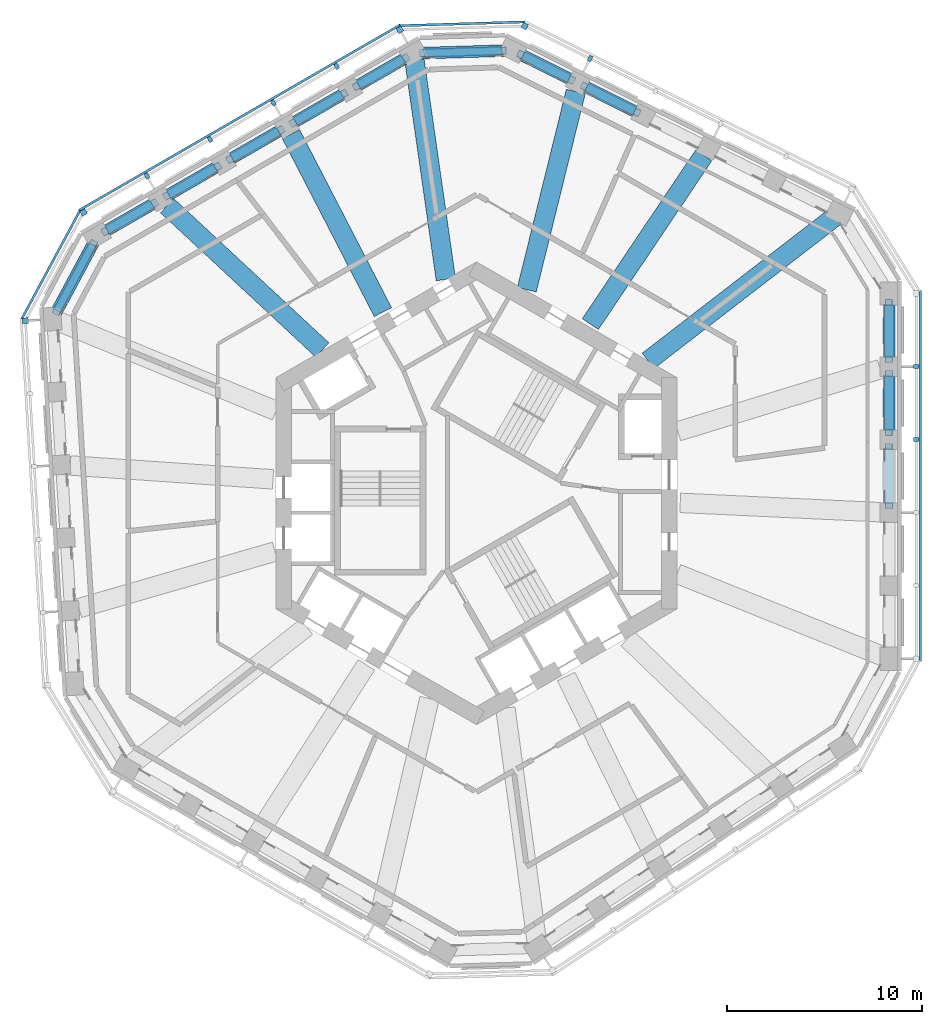
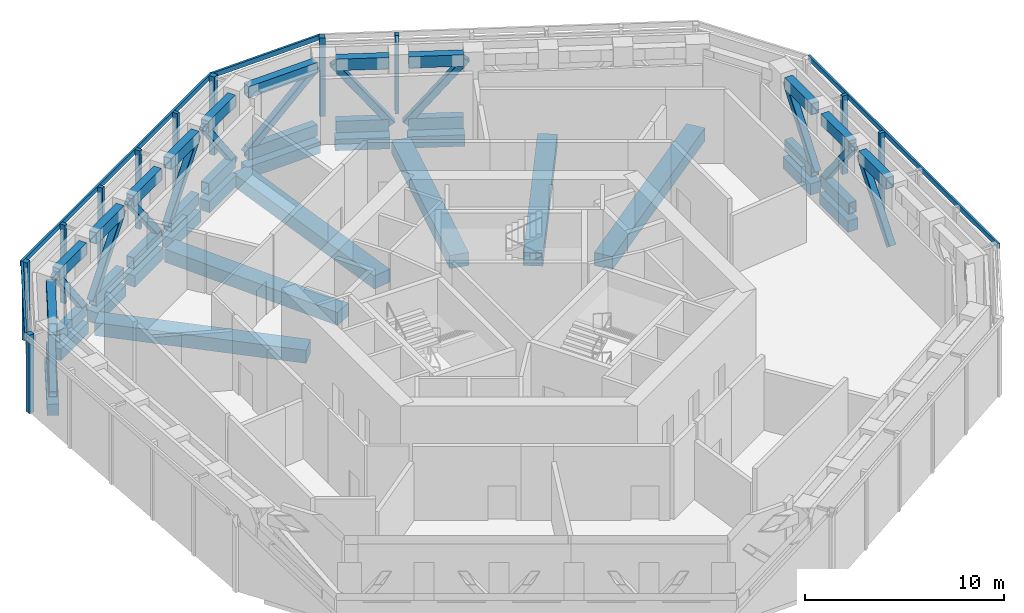
# One storey, part 3 of 15: 50 members, 17 beams, 6 elements without a shape of their own.
"""IFC4 building model written with IfcOpenShell, lengths in metres."""

from ifc_helpers import new_model, si_unit, direction, frame, origin, origin_2d, place, context, subcontext, project, spatial, rectangle, hollow_rectangle, extrude, material, material_profile, profile_set, type_object, element, aggregate, save


model = new_model("IFC4")

# Units and contexts
model_context = context("Model", 3, precision=1e-05, world=origin(), true_north=direction((0.0, 1.0)))
body_context = subcontext(model_context, "Body", "Model", "MODEL_VIEW")
ifc_project = project(units=[si_unit("LENGTHUNIT", "METRE"), si_unit("AREAUNIT", "SQUARE_METRE"), si_unit("VOLUMEUNIT", "CUBIC_METRE"), si_unit("PLANEANGLEUNIT", "RADIAN"), si_unit("MASSUNIT", "GRAM", prefix="KILO")], contexts=[model_context])

# Site, building, storey
site_placement = place(None, origin())
site = spatial("IfcSite", under=ifc_project, at=site_placement, CompositionType="ELEMENT")
building_placement = place(site_placement, origin())
building = spatial("IfcBuilding", under=site, at=building_placement, Name="Vanh Sen Convention Tower", CompositionType="ELEMENT")
storey_placement = place(building_placement, frame((0.0, 0.0, 205.800048828125)))
storey = spatial("IfcBuildingStorey", under=building, at=storey_placement, Name="L51", CompositionType="ELEMENT", Elevation=205.800048828125)

# Members
ifc_material_1 = material(Name="Steel S460", Category="steel")
ifc_material_profile_1 = material_profile(ifc_material_1, hollow_rectangle(XDim=0.449951171875, YDim=0.699951171875, WallThickness=0.035888671875, at=origin_2d()), Name="BOX 700X450X36")
ifc_profile_set_1 = profile_set([ifc_material_profile_1], Name="Steel S460")
member_type_1 = type_object("IfcMemberType", Name="Belt truss chord BOX 700X450X36", PredefinedType="CHORD", material=ifc_profile_set_1)
for number, where, z_axis, x_axis, name in (
    (1, (21.199951171875, -0.497802734375, 4.14990234375), (0.0, 1.0, 0.0), (-1.0, 0.0, 0.0), "BELT TRUSS chord top 03 L51"),
    (2, (21.199951171875, 3.25634765625, 0.349853515625), (0.0, 1.0, 0.0), (-1.0, 0.0, 0.0), "BELT TRUSS chord bottom 04 L51"),
    (3, (21.199951171875, 3.25634765625, 4.14990234375), (0.0, 1.0, 0.0), (-1.0, 0.0, 0.0), "BELT TRUSS chord top 04 L51"),
):
    element("IfcMember", number, at=place(storey_placement, frame(where, z_axis=z_axis, x_axis=x_axis)), inside=storey, type_object=member_type_1, Name=name, PredefinedType="CHORD", context=body_context, shape_type="SweptSolid", body=[
        extrude(hollow_rectangle(XDim=0.449951171875, YDim=0.699951171875, WallThickness=0.035888671875, at=origin_2d()), origin(), (0.0, 0.0, 1.0), 2.76416015625),
    ])
for number, where, z_axis, x_axis, name in (
    (4, (21.199951171875, 7.010498046875, 0.349853515625), (0.0, 1.0, 0.0), (-1.0, 0.0, 0.0), "BELT TRUSS chord bottom 05 L51"),
    (5, (21.199951171875, 7.010498046875, 4.14990234375), (0.0, 1.0, 0.0), (-1.0, 0.0, 0.0), "BELT TRUSS chord top 05 L51"),
):
    element("IfcMember", number, at=place(storey_placement, frame(where, z_axis=z_axis, x_axis=x_axis)), inside=storey, type_object=member_type_1, Name=name, PredefinedType="CHORD", context=body_context, shape_type="SweptSolid", body=[
        extrude(hollow_rectangle(XDim=0.449951171875, YDim=0.699951171875, WallThickness=0.035888671875, at=origin_2d()), origin(), (0.0, 0.0, 1.0), 2.6640625),
    ])
for number, where, z_axis, x_axis, name in (
    (6, (8.1279296875, 19.636474609375, 0.349853515625), (-0.89492127077, 0.446224068292, 0.0), (-0.446224068292, -0.89492127077, 0.0), "BELT TRUSS chord bottom 10 L51"),
    (7, (8.1279296875, 19.636474609375, 4.14990234375), (-0.89492127077, 0.446224068292, 0.0), (-0.446224068292, -0.89492127077, 0.0), "BELT TRUSS chord top 10 L51"),
):
    element("IfcMember", number, at=place(storey_placement, frame(where, z_axis=z_axis, x_axis=x_axis)), inside=storey, type_object=member_type_1, Name=name, PredefinedType="CHORD", context=body_context, shape_type="SweptSolid", body=[
        extrude(hollow_rectangle(XDim=0.449951171875, YDim=0.699951171875, WallThickness=0.035888671875, at=origin_2d()), origin(), (0.0, 0.0, 1.0), 2.76416015625),
    ])
for number, where, z_axis, x_axis, name in (
    (8, (4.768310546875, 21.3115234375, 0.349853515625), (-0.894939776695, 0.446186951948, 0.0), (-0.446186951948, -0.894939776695, 0.0), "BELT TRUSS chord bottom 11 L51"),
    (9, (4.768310546875, 21.3115234375, 4.14990234375), (-0.894939776695, 0.446186951948, 0.0), (-0.446186951948, -0.894939776695, 0.0), "BELT TRUSS chord top 11 L51"),
):
    element("IfcMember", number, at=place(storey_placement, frame(where, z_axis=z_axis, x_axis=x_axis)), inside=storey, type_object=member_type_1, Name=name, PredefinedType="CHORD", context=body_context, shape_type="SweptSolid", body=[
        extrude(hollow_rectangle(XDim=0.449951171875, YDim=0.699951171875, WallThickness=0.035888671875, at=origin_2d()), origin(), (0.0, 0.0, 1.0), 2.6640625),
    ])
for number, where, z_axis, x_axis, name in (
    (10, (1.32470703125, 22.74951171875, 0.349853515625), (-0.999533715833, -0.030534421783, 0.0), (0.030534421783, -0.999533715833, 0.0), "BELT TRUSS chord bottom 12 L51"),
    (11, (1.32470703125, 22.74951171875, 4.14990234375), (-0.999533715833, -0.030534421783, 0.0), (0.030534421783, -0.999533715833, 0.0), "BELT TRUSS chord top 12 L51"),
):
    element("IfcMember", number, at=place(storey_placement, frame(where, z_axis=z_axis, x_axis=x_axis)), inside=storey, type_object=member_type_1, Name=name, PredefinedType="CHORD", context=body_context, shape_type="SweptSolid", body=[
        extrude(hollow_rectangle(XDim=0.449951171875, YDim=0.699951171875, WallThickness=0.035888671875, at=origin_2d()), origin(), (0.0, 0.0, 1.0), 4.037841796875),
    ])
for number, where, z_axis, x_axis, name in (
    (12, (-3.753173828125, 22.312744140625, 0.349853515625), (-0.866023818221, -0.500002746266, 0.0), (0.500002746266, -0.866023818221, 0.0), "BELT TRUSS chord bottom 13 L51"),
    (13, (-3.753173828125, 22.312744140625, 4.14990234375), (-0.866023818221, -0.500002746266, 0.0), (0.500002746266, -0.866023818221, 0.0), "BELT TRUSS chord top 13 L51"),
):
    element("IfcMember", number, at=place(storey_placement, frame(where, z_axis=z_axis, x_axis=x_axis)), inside=storey, type_object=member_type_1, Name=name, PredefinedType="CHORD", context=body_context, shape_type="SweptSolid", body=[
        extrude(hollow_rectangle(XDim=0.449951171875, YDim=0.699951171875, WallThickness=0.035888671875, at=origin_2d()), origin(), (0.0, 0.0, 1.0), 2.6640625),
    ])
for number, where, z_axis, x_axis, name in (
    (14, (-6.917724609375, 20.485595703125, 0.349853515625), (-0.866022320763, -0.500005339912, 0.0), (0.500005339912, -0.866022320763, 0.0), "BELT TRUSS chord bottom 14 L51"),
    (15, (-6.917724609375, 20.485595703125, 4.14990234375), (-0.866022320763, -0.500005339912, 0.0), (0.500005339912, -0.866022320763, 0.0), "BELT TRUSS chord top 14 L51"),
    (16, (-10.1689453125, 18.608642578125, 0.349853515625), (-0.866022320763, -0.500005339912, 0.0), (0.500005339912, -0.866022320763, 0.0), "BELT TRUSS chord bottom 15 L51"),
    (17, (-10.1689453125, 18.608642578125, 4.14990234375), (-0.866022320763, -0.500005339912, 0.0), (0.500005339912, -0.866022320763, 0.0), "BELT TRUSS chord top 15 L51"),
):
    element("IfcMember", number, at=place(storey_placement, frame(where, z_axis=z_axis, x_axis=x_axis)), inside=storey, type_object=member_type_1, Name=name, PredefinedType="CHORD", context=body_context, shape_type="SweptSolid", body=[
        extrude(hollow_rectangle(XDim=0.449951171875, YDim=0.699951171875, WallThickness=0.035888671875, at=origin_2d()), origin(), (0.0, 0.0, 1.0), 2.76416015625),
    ])
for number, where, z_axis, x_axis, name in (
    (18, (-13.420166015625, 16.731689453125, 0.349853515625), (-0.866000236617, -0.500043588279, 0.0), (0.500043588279, -0.866000236617, 0.0), "BELT TRUSS chord bottom 16 L51"),
    (19, (-13.420166015625, 16.731689453125, 4.14990234375), (-0.866000236617, -0.500043588279, 0.0), (0.500043588279, -0.866000236617, 0.0), "BELT TRUSS chord top 16 L51"),
):
    element("IfcMember", number, at=place(storey_placement, frame(where, z_axis=z_axis, x_axis=x_axis)), inside=storey, type_object=member_type_1, Name=name, PredefinedType="CHORD", context=body_context, shape_type="SweptSolid", body=[
        extrude(hollow_rectangle(XDim=0.449951171875, YDim=0.699951171875, WallThickness=0.035888671875, at=origin_2d()), origin(), (0.0, 0.0, 1.0), 2.763916015625),
    ])
for number, where, z_axis, x_axis, name in (
    (20, (-16.671142578125, 14.8544921875, 0.349853515625), (-0.866046726429, -0.499963066278, 0.0), (0.499963066278, -0.866046726429, 0.0), "BELT TRUSS chord bottom 17 L51"),
    (21, (-16.671142578125, 14.8544921875, 4.14990234375), (-0.866046726429, -0.499963066278, 0.0), (0.499963066278, -0.866046726429, 0.0), "BELT TRUSS chord top 17 L51"),
):
    element("IfcMember", number, at=place(storey_placement, frame(where, z_axis=z_axis, x_axis=x_axis)), inside=storey, type_object=member_type_1, Name=name, PredefinedType="CHORD", context=body_context, shape_type="SweptSolid", body=[
        extrude(hollow_rectangle(XDim=0.449951171875, YDim=0.699951171875, WallThickness=0.035888671875, at=origin_2d()), origin(), (0.0, 0.0, 1.0), 2.664306640625),
    ])
for number, where, z_axis, x_axis, name in (
    (22, (-19.72412109375, 12.79638671875, 0.349853515625), (-0.473295157781, -0.880903907144, 0.0), (0.880903907144, -0.473295157781, 0.0), "BELT TRUSS chord bottom 18 L51"),
    (23, (-19.72412109375, 12.79638671875, 4.14990234375), (-0.473295157781, -0.880903907144, 0.0), (0.880903907144, -0.473295157781, 0.0), "BELT TRUSS chord top 18 L51"),
):
    element("IfcMember", number, at=place(storey_placement, frame(where, z_axis=z_axis, x_axis=x_axis)), inside=storey, type_object=member_type_1, Name=name, PredefinedType="CHORD", context=body_context, shape_type="SweptSolid", body=[
        extrude(hollow_rectangle(XDim=0.449951171875, YDim=0.699951171875, WallThickness=0.035888671875, at=origin_2d()), origin(), (0.0, 0.0, 1.0), 3.872802734375),
    ])
ifc_material_2 = material(Name="Steel S355", Category="steel")
ifc_material_profile_2 = material_profile(ifc_material_2, hollow_rectangle(XDim=0.39990234375, YDim=0.39990234375, WallThickness=0.02001953125, InnerFilletRadius=0.02001953125, OuterFilletRadius=0.0400390625, at=origin_2d()), Name="SHS 400X400X20")
ifc_profile_set_2 = profile_set([ifc_material_profile_2], Name="Steel S355")
member_type_2 = type_object("IfcMemberType", Name="Belt truss diagonal SHS 400X400X20", PredefinedType="BRACE", material=ifc_profile_set_2)
for number, where, z_axis, x_axis, name in (
    (24, (21.199951171875, -0.64013671875, 0.349853515625), (0.0, 0.625794439819, 0.779988024967), (-1.0, 0.0, 0.0), "BELT TRUSS diagonal 03 L51"),
    (25, (21.199951171875, 3.114013671875, 4.14990234375), (0.0, 0.625763951386, -0.78001248525), (-1.0, 0.0, 0.0), "BELT TRUSS diagonal 04 L51"),
):
    element("IfcMember", number, at=place(storey_placement, frame(where, z_axis=z_axis, x_axis=x_axis)), inside=storey, type_object=member_type_2, Name=name, PredefinedType="BRACE", context=body_context, shape_type="SweptSolid", body=[
        extrude(hollow_rectangle(XDim=0.39990234375, YDim=0.39990234375, WallThickness=0.02001953125, InnerFilletRadius=0.02001953125, OuterFilletRadius=0.0400390625, at=origin_2d()), origin(), (0.0, 0.0, 1.0), 4.871826171875),
    ])
member_1_placement = place(storey_placement, frame((21.199951171875, 6.8681640625, 0.349853515625), z_axis=(0.0, 0.613051183935, 0.790043192412), x_axis=(-1.0, 0.0, 0.0)))
element("IfcMember", 26, at=member_1_placement, inside=storey, type_object=member_type_2, Name="BELT TRUSS diagonal 05 L51", PredefinedType="BRACE", context=body_context, shape_type="SweptSolid", body=[
    extrude(hollow_rectangle(XDim=0.39990234375, YDim=0.39990234375, WallThickness=0.02001953125, InnerFilletRadius=0.02001953125, OuterFilletRadius=0.0400390625, at=origin_2d()), origin(), (0.0, 0.0, 1.0), 4.809814453125),
])
member_2_placement = place(storey_placement, frame((8.255126953125, 19.572998046875, 4.14990234375), z_axis=(-0.560013532121, 0.279230013511, -0.78000989955), x_axis=(-0.44622029553, -0.894923151928, 0.0)))
element("IfcMember", 27, at=member_2_placement, inside=storey, type_object=member_type_2, Name="BELT TRUSS diagonal 10 L51", PredefinedType="BRACE", context=body_context, shape_type="SweptSolid", body=[
    extrude(hollow_rectangle(XDim=0.39990234375, YDim=0.39990234375, WallThickness=0.02001953125, InnerFilletRadius=0.02001953125, OuterFilletRadius=0.0400390625, at=origin_2d()), origin(), (0.0, 0.0, 1.0), 4.871826171875),
])
member_3_placement = place(storey_placement, frame((4.8955078125, 21.248046875, 0.349853515625), z_axis=(-0.548641308697, 0.273533908092, 0.790045514837), x_axis=(-0.446186632811, -0.894939935806, 0.0)))
element("IfcMember", 28, at=member_3_placement, inside=storey, type_object=member_type_2, Name="BELT TRUSS diagonal 11 L51", PredefinedType="BRACE", context=body_context, shape_type="SweptSolid", body=[
    extrude(hollow_rectangle(XDim=0.39990234375, YDim=0.39990234375, WallThickness=0.02001953125, InnerFilletRadius=0.02001953125, OuterFilletRadius=0.0400390625, at=origin_2d()), origin(), (0.0, 0.0, 1.0), 4.809814453125),
])
member_4_placement = place(storey_placement, frame((1.402587890625, 22.751953125, 4.14990234375), z_axis=(-0.740676789827, -0.02264868744, -0.671479657152), x_axis=(0.03056408206, -0.99953280931, 0.0)))
element("IfcMember", 29, at=member_4_placement, inside=storey, type_object=member_type_2, Name="BELT TRUSS diagonal 12 L51", PredefinedType="BRACE", context=body_context, shape_type="SweptSolid", body=[
    extrude(hollow_rectangle(XDim=0.39990234375, YDim=0.39990234375, WallThickness=0.02001953125, InnerFilletRadius=0.02001953125, OuterFilletRadius=0.0400390625, at=origin_2d()), origin(), (0.0, 0.0, 1.0), 5.6591796875),
])
member_5_placement = place(storey_placement, frame((-3.6298828125, 22.3837890625, 0.349853515625), z_axis=(-0.530923190696, -0.306524392793, 0.790040101643), x_axis=(0.499994795393, -0.866028408645, 0.0)))
element("IfcMember", 30, at=member_5_placement, inside=storey, type_object=member_type_2, Name="BELT TRUSS diagonal 13 L51", PredefinedType="BRACE", context=body_context, shape_type="SweptSolid", body=[
    extrude(hollow_rectangle(XDim=0.39990234375, YDim=0.39990234375, WallThickness=0.02001953125, InnerFilletRadius=0.02001953125, OuterFilletRadius=0.0400390625, at=origin_2d()), origin(), (0.0, 0.0, 1.0), 4.81005859375),
])
for number, where, z_axis, x_axis, name in (
    (31, (-6.794677734375, 20.556884765625, 4.14990234375), (-0.541921133937, -0.312905082329, -0.780007624351), (0.500032083853, -0.866006879371, 0.0), "BELT TRUSS diagonal 14 L51"),
    (32, (-10.045654296875, 18.6796875, 0.349853515625), (-0.541929631098, -0.312859874879, 0.780019854637), (0.499972021306, -0.866041556688, 0.0), "BELT TRUSS diagonal 15 L51"),
    (33, (-13.296875, 16.802734375, 4.14990234375), (-0.541921133937, -0.312905082329, -0.780007624351), (0.500032083853, -0.866006879371, 0.0), "BELT TRUSS diagonal 16 L51"),
):
    element("IfcMember", number, at=place(storey_placement, frame(where, z_axis=z_axis, x_axis=x_axis)), inside=storey, type_object=member_type_2, Name=name, PredefinedType="BRACE", context=body_context, shape_type="SweptSolid", body=[
        extrude(hollow_rectangle(XDim=0.39990234375, YDim=0.39990234375, WallThickness=0.02001953125, InnerFilletRadius=0.02001953125, OuterFilletRadius=0.0400390625, at=origin_2d()), origin(), (0.0, 0.0, 1.0), 4.871826171875),
    ])
member_6_placement = place(storey_placement, frame((-16.548095703125, 14.92578125, 0.349853515625), z_axis=(-0.530886739236, -0.30653265305, 0.79006139174), x_axis=(0.500030648271, -0.866007708274, 0.0)))
element("IfcMember", 34, at=member_6_placement, inside=storey, type_object=member_type_2, Name="BELT TRUSS diagonal 17 L51", PredefinedType="BRACE", context=body_context, shape_type="SweptSolid", body=[
    extrude(hollow_rectangle(XDim=0.39990234375, YDim=0.39990234375, WallThickness=0.02001953125, InnerFilletRadius=0.02001953125, OuterFilletRadius=0.0400390625, at=origin_2d()), origin(), (0.0, 0.0, 1.0), 4.809814453125),
])
member_7_placement = place(storey_placement, frame((-19.684814453125, 12.869384765625, 4.14990234375), z_axis=(-0.344722816277, -0.641545450676, -0.685263171821), x_axis=(0.880886151875, -0.473328202661, 0.0)))
element("IfcMember", 35, at=member_7_placement, inside=storey, type_object=member_type_2, Name="BELT TRUSS diagonal 18 L51", PredefinedType="BRACE", context=body_context, shape_type="SweptSolid", body=[
    extrude(hollow_rectangle(XDim=0.39990234375, YDim=0.39990234375, WallThickness=0.02001953125, InnerFilletRadius=0.02001953125, OuterFilletRadius=0.0400390625, at=origin_2d()), origin(), (0.0, 0.0, 1.0), 5.54541015625),
])

# Curtain wall, member
ifc_material_3 = material(Name="Concrete C50/60", Category="concrete")
curtain_wall_type = type_object("IfcCurtainWallType", Name="Outer skin office zone", PredefinedType="NOTDEFINED", material=ifc_material_3)
curtain_wall_1_placement = place(storey_placement, origin())
curtain_wall_1 = element("IfcCurtainWall", 36, at=curtain_wall_1_placement, inside=storey, type_object=curtain_wall_type, Name="OUTER SKIN NE L51", PredefinedType="NOTDEFINED")
ifc_material_profile_3 = material_profile(ifc_material_3, rectangle(XDim=0.300048828125, YDim=0.300048828125, at=origin_2d()), Name="Outer skin precast corner fin 300 x 300")
ifc_profile_set_3 = profile_set([ifc_material_profile_3], Name="Concrete C50/60")
member_type_3 = type_object("IfcMemberType", Name="Outer skin precast corner fin 300 x 300", PredefinedType="MULLION", material=ifc_profile_set_3)
member_8_placement = place(storey_placement, frame((2.476318359375, 24.0185546875, 0.0), z_axis=(0.0, 0.0, 1.0), x_axis=(-0.894934361602, 0.44619781311, 0.0)))
member_8 = element("IfcMember", 37, at=member_8_placement, type_object=member_type_3, Name="OUTER SKIN CORNER FIN 6 NE L51", PredefinedType="MULLION", context=body_context, shape_type="SweptSolid", body=[
    extrude(rectangle(XDim=0.300048828125, YDim=0.300048828125, at=origin_2d()), origin(), (0.0, 0.0, 1.0), 4.800048828125),
])

# Curtain wall, members
curtain_wall_2_placement = place(storey_placement, origin())
curtain_wall_2 = element("IfcCurtainWall", 38, at=curtain_wall_2_placement, inside=storey, type_object=curtain_wall_type, Name="OUTER SKIN NW L51", PredefinedType="NOTDEFINED")
member_9_placement = place(storey_placement, frame((-3.93798828125, 23.822509765625, 0.0), z_axis=(0.0, 0.0, 1.0), x_axis=(-0.866025403784, -0.5, 0.0)))
member_9 = element("IfcMember", 39, at=member_9_placement, type_object=member_type_3, Name="OUTER SKIN CORNER FIN 1 NW L51", PredefinedType="MULLION", context=body_context, shape_type="SweptSolid", body=[
    extrude(rectangle(XDim=0.300048828125, YDim=0.300048828125, at=origin_2d()), origin(), (0.0, 0.0, 1.0), 4.800048828125),
])
member_10_placement = place(storey_placement, frame((-20.193603515625, 14.4375, 0.0), z_axis=(0.0, 0.0, 1.0), x_axis=(-0.866025403784, -0.5, 0.0)))
member_10 = element("IfcMember", 40, at=member_10_placement, type_object=member_type_3, Name="OUTER SKIN CORNER FIN 6 NW L51", PredefinedType="MULLION", context=body_context, shape_type="SweptSolid", body=[
    extrude(rectangle(XDim=0.300048828125, YDim=0.300048828125, at=origin_2d()), origin(), (0.0, 0.0, 1.0), 4.800048828125),
])

# Curtain wall, member
curtain_wall_3_placement = place(storey_placement, origin())
curtain_wall_3 = element("IfcCurtainWall", 41, at=curtain_wall_3_placement, inside=storey, type_object=curtain_wall_type, Name="OUTER SKIN W L51", PredefinedType="NOTDEFINED")
member_11_placement = place(storey_placement, frame((-23.184814453125, 8.87060546875, 0.0), z_axis=(0.0, 0.0, 1.0), x_axis=(0.061048539535, -0.998134798422, 0.0)))
member_11 = element("IfcMember", 42, at=member_11_placement, type_object=member_type_3, Name="OUTER SKIN CORNER FIN 1 W L51", PredefinedType="MULLION", context=body_context, shape_type="SweptSolid", body=[
    extrude(rectangle(XDim=0.300048828125, YDim=0.300048828125, at=origin_2d()), origin(), (0.0, 0.0, 1.0), 4.800048828125),
])
aggregate(curtain_wall_3, [member_11])

# Curtain wall, members
curtain_wall_4_placement = place(storey_placement, origin())
curtain_wall_4 = element("IfcCurtainWall", 43, at=curtain_wall_4_placement, inside=storey, type_object=curtain_wall_type, Name="OUTER SKIN E L51", PredefinedType="NOTDEFINED")
ifc_material_profile_4 = material_profile(ifc_material_3, rectangle(XDim=0.199951171875, YDim=0.300048828125, at=origin_2d()), Name="Outer skin precast fin 200 x 300")
ifc_profile_set_4 = profile_set([ifc_material_profile_4], Name="Concrete C50/60")
member_type_4 = type_object("IfcMemberType", Name="Outer skin precast fin 200 x 300", PredefinedType="MULLION", material=ifc_profile_set_4)
member_12_placement = place(storey_placement, frame((22.60009765625, 2.76123046875, 0.0), z_axis=(0.0, 0.0, 1.0), x_axis=(0.0, 1.0, 0.0)))
member_12 = element("IfcMember", 44, at=member_12_placement, type_object=member_type_4, Name="OUTER SKIN fin 4 E L51", PredefinedType="MULLION", context=body_context, shape_type="SweptSolid", body=[
    extrude(rectangle(XDim=0.199951171875, YDim=0.300048828125, at=origin_2d()), origin(), (0.0, 0.0, 1.0), 4.800048828125),
])
member_13_placement = place(storey_placement, frame((22.60009765625, 6.515380859375, 0.0), z_axis=(0.0, 0.0, 1.0), x_axis=(0.0, 1.0, 0.0)))
member_13 = element("IfcMember", 45, at=member_13_placement, type_object=member_type_4, Name="OUTER SKIN fin 5 E L51", PredefinedType="MULLION", context=body_context, shape_type="SweptSolid", body=[
    extrude(rectangle(XDim=0.199951171875, YDim=0.300048828125, at=origin_2d()), origin(), (0.0, 0.0, 1.0), 4.800048828125),
])

# Member
member_14_placement = place(storey_placement, frame((5.8359375, 22.343505859375, 0.0), z_axis=(0.0, 0.0, 1.0), x_axis=(-0.894934361602, 0.44619781311, 0.0)))
member_14 = element("IfcMember", 46, at=member_14_placement, type_object=member_type_4, Name="OUTER SKIN fin 5 NE L51", PredefinedType="MULLION", context=body_context, shape_type="SweptSolid", body=[
    extrude(rectangle(XDim=0.199951171875, YDim=0.300048828125, at=origin_2d()), origin(), (0.0, 0.0, 1.0), 4.800048828125),
])

aggregate(curtain_wall_1, [member_14, member_8])

member_15_placement = place(storey_placement, frame((-7.189208984375, 21.945556640625, 0.0), z_axis=(0.0, 0.0, 1.0), x_axis=(-0.866025403784, -0.5, 0.0)))
member_15 = element("IfcMember", 47, at=member_15_placement, type_object=member_type_4, Name="OUTER SKIN fin 2 NW L51", PredefinedType="MULLION", context=body_context, shape_type="SweptSolid", body=[
    extrude(rectangle(XDim=0.199951171875, YDim=0.300048828125, at=origin_2d()), origin(), (0.0, 0.0, 1.0), 4.800048828125),
])

member_16_placement = place(storey_placement, frame((-10.440185546875, 20.068603515625, 0.0), z_axis=(0.0, 0.0, 1.0), x_axis=(-0.866025403784, -0.5, 0.0)))
member_16 = element("IfcMember", 48, at=member_16_placement, type_object=member_type_4, Name="OUTER SKIN fin 3 NW L51", PredefinedType="MULLION", context=body_context, shape_type="SweptSolid", body=[
    extrude(rectangle(XDim=0.199951171875, YDim=0.300048828125, at=origin_2d()), origin(), (0.0, 0.0, 1.0), 4.800048828125),
])

member_17_placement = place(storey_placement, frame((-13.69140625, 18.19140625, 0.0), z_axis=(0.0, 0.0, 1.0), x_axis=(-0.866025403784, -0.5, 0.0)))
member_17 = element("IfcMember", 49, at=member_17_placement, type_object=member_type_4, Name="OUTER SKIN fin 4 NW L51", PredefinedType="MULLION", context=body_context, shape_type="SweptSolid", body=[
    extrude(rectangle(XDim=0.199951171875, YDim=0.300048828125, at=origin_2d()), origin(), (0.0, 0.0, 1.0), 4.800048828125),
])

member_18_placement = place(storey_placement, frame((-16.9423828125, 16.314453125, 0.0), z_axis=(0.0, 0.0, 1.0), x_axis=(-0.866025403784, -0.5, 0.0)))
member_18 = element("IfcMember", 50, at=member_18_placement, type_object=member_type_4, Name="OUTER SKIN fin 5 NW L51", PredefinedType="MULLION", context=body_context, shape_type="SweptSolid", body=[
    extrude(rectangle(XDim=0.199951171875, YDim=0.300048828125, at=origin_2d()), origin(), (0.0, 0.0, 1.0), 4.800048828125),
])

ifc_material_profile_5 = material_profile(ifc_material_3, rectangle(XDim=0.1201171875, YDim=0.300048828125, at=origin_2d()), Name="Outer skin precast spandrel band 300 x 120")
ifc_profile_set_5 = profile_set([ifc_material_profile_5], Name="Concrete C50/60")
member_type_5 = type_object("IfcMemberType", Name="Outer skin precast spandrel band 300 x 120", PredefinedType="USERDEFINED", material=ifc_profile_set_5)
member_19_placement = place(storey_placement, frame((22.81005859375, -8.65087890625, 4.64990234375), z_axis=(0.0, 1.0, 0.0), x_axis=(-1.0, 0.0, 0.0)))
member_19 = element("IfcMember", 51, at=member_19_placement, type_object=member_type_5, Name="OUTER SKIN spandrel band E L51", ObjectType="TRANSOM", PredefinedType="USERDEFINED", context=body_context, shape_type="SweptSolid", body=[
    extrude(rectangle(XDim=0.1201171875, YDim=0.300048828125, at=origin_2d()), origin(), (0.0, 0.0, 1.0), 19.0703125),
])

aggregate(curtain_wall_4, [member_12, member_13, member_19])

# Curtain wall, member
curtain_wall_5_placement = place(storey_placement, origin())
curtain_wall_5 = element("IfcCurtainWall", 52, at=curtain_wall_5_placement, inside=storey, type_object=curtain_wall_type, Name="OUTER SKIN CH2 L51", PredefinedType="NOTDEFINED")
member_20_placement = place(storey_placement, frame((2.4697265625, 24.228515625, 4.64990234375), z_axis=(-0.999533221695, -0.030550592913, 0.0), x_axis=(0.030550592913, -0.999533221695, 0.0)))
member_20 = element("IfcMember", 53, at=member_20_placement, type_object=member_type_5, Name="OUTER SKIN spandrel band CH2 L51", ObjectType="TRANSOM", PredefinedType="USERDEFINED", context=body_context, shape_type="SweptSolid", body=[
    extrude(rectangle(XDim=0.1201171875, YDim=0.300048828125, at=origin_2d()), origin(), (0.0, 0.0, 1.0), 6.4169921875),
])
aggregate(curtain_wall_5, [member_20])

# Member
member_21_placement = place(storey_placement, frame((-3.9130859375, 24.07958984375, 4.64990234375), z_axis=(-0.866023136587, -0.500003926881, 0.0), x_axis=(0.500003926881, -0.866023136587, 0.0)))
member_21 = element("IfcMember", 54, at=member_21_placement, type_object=member_type_5, Name="OUTER SKIN spandrel band NW L51", ObjectType="TRANSOM", PredefinedType="USERDEFINED", context=body_context, shape_type="SweptSolid", body=[
    extrude(rectangle(XDim=0.1201171875, YDim=0.300048828125, at=origin_2d()), origin(), (0.0, 0.0, 1.0), 19.070556640625),
])

aggregate(curtain_wall_2, [member_9, member_15, member_16, member_17, member_18, member_10, member_21])

# Curtain wall, member
curtain_wall_6_placement = place(storey_placement, origin())
curtain_wall_6 = element("IfcCurtainWall", 55, at=curtain_wall_6_placement, inside=storey, type_object=curtain_wall_type, Name="OUTER SKIN CH3 L51", PredefinedType="NOTDEFINED")
member_22_placement = place(storey_placement, frame((-20.378662109375, 14.536865234375, 4.64990234375), z_axis=(-0.47333707755, -0.880881383057, 0.0), x_axis=(0.880881383057, -0.47333707755, 0.0)))
member_22 = element("IfcMember", 56, at=member_22_placement, type_object=member_type_5, Name="OUTER SKIN spandrel band CH3 L51", ObjectType="TRANSOM", PredefinedType="USERDEFINED", context=body_context, shape_type="SweptSolid", body=[
    extrude(rectangle(XDim=0.1201171875, YDim=0.300048828125, at=origin_2d()), origin(), (0.0, 0.0, 1.0), 6.3193359375),
])
aggregate(curtain_wall_6, [member_22])

# Beams
ifc_material_4 = material(Name="Concrete C50/60", Category="concrete")
ifc_material_profile_6 = material_profile(ifc_material_4, rectangle(XDim=1.0, YDim=0.800048828125, at=origin_2d()), Name="RC 1000X800")
ifc_profile_set_6 = profile_set([ifc_material_profile_6], Name="Concrete C50/60")
beam_type_1 = type_object("IfcBeamType", Name="Radial floor beam 1000 x 800", PredefinedType="BEAM", material=ifc_profile_set_6)
beam_1_placement = place(storey_placement, frame((18.472412109375, 14.25341796875, -0.75), z_axis=(-0.791708084338, -0.610899590108, 0.0), x_axis=(0.610899590108, -0.791708084338, 0.0)))
element("IfcBeam", 57, at=beam_1_placement, inside=storey, type_object=beam_type_1, Name="Radial beam 04 L51", PredefinedType="BEAM", context=body_context, shape_type="SweptSolid", body=[
    extrude(rectangle(XDim=1.0, YDim=0.800048828125, at=origin_2d()), origin(), (0.0, 0.0, 1.0), 12.190185546875),
])
beam_2_placement = place(storey_placement, frame((11.68017578125, 17.3681640625, -0.75), z_axis=(-0.558056145543, -0.829803192583, 0.0), x_axis=(0.829803192583, -0.558056145543, 0.0)))
element("IfcBeam", 58, at=beam_2_placement, inside=storey, type_object=beam_type_1, Name="Radial beam 05 L51", PredefinedType="BEAM", context=body_context, shape_type="SweptSolid", body=[
    extrude(rectangle(XDim=1.0, YDim=0.800048828125, at=origin_2d()), origin(), (0.0, 0.0, 1.0), 10.44482421875),
])
beam_3_placement = place(storey_placement, frame((5.101806640625, 20.64794921875, -0.75), z_axis=(-0.239867460548, -0.970805645518, 0.0), x_axis=(0.970805645518, -0.239867460548, 0.0)))
element("IfcBeam", 59, at=beam_3_placement, inside=storey, type_object=beam_type_1, Name="Radial beam 06 L51", PredefinedType="BEAM", context=body_context, shape_type="SweptSolid", body=[
    extrude(rectangle(XDim=1.0, YDim=0.800048828125, at=origin_2d()), origin(), (0.0, 0.0, 1.0), 10.488525390625),
])
beam_4_placement = place(storey_placement, frame((-3.205810546875, 22.38671875, -0.75), z_axis=(0.141739153548, -0.989904041992, 0.0), x_axis=(0.989904041992, 0.141739153548, 0.0)))
element("IfcBeam", 60, at=beam_4_placement, inside=storey, type_object=beam_type_1, Name="Radial beam 07 L51", PredefinedType="BEAM", context=body_context, shape_type="SweptSolid", body=[
    extrude(rectangle(XDim=1.0, YDim=0.800048828125, at=origin_2d()), origin(), (0.0, 0.0, 1.0), 11.5078125),
])
beam_5_placement = place(storey_placement, frame((-9.53564453125, 18.460205078125, -0.75), z_axis=(0.458947358758, -0.888463461201, 0.0), x_axis=(0.888463461201, 0.458947358758, 0.0)))
element("IfcBeam", 61, at=beam_5_placement, inside=storey, type_object=beam_type_1, Name="Radial beam 08 L51", PredefinedType="BEAM", context=body_context, shape_type="SweptSolid", body=[
    extrude(rectangle(XDim=1.0, YDim=0.800048828125, at=origin_2d()), origin(), (0.0, 0.0, 1.0), 10.29443359375),
])
beam_6_placement = place(storey_placement, frame((-15.9013671875, 14.784912109375, -0.75), z_axis=(0.732350048204, -0.680928341968, 0.0), x_axis=(0.680928341968, 0.732350048204, 0.0)))
element("IfcBeam", 62, at=beam_6_placement, inside=storey, type_object=beam_type_1, Name="Radial beam 09 L51", PredefinedType="BEAM", context=body_context, shape_type="SweptSolid", body=[
    extrude(rectangle(XDim=1.0, YDim=0.800048828125, at=origin_2d()), origin(), (0.0, 0.0, 1.0), 10.88671875),
])
ifc_material_profile_7 = material_profile(ifc_material_4, rectangle(XDim=0.60009765625, YDim=0.699951171875, at=origin_2d()), Name="RC 600X700")
ifc_profile_set_7 = profile_set([ifc_material_profile_7], Name="Concrete C50/60")
beam_type_2 = type_object("IfcBeamType", Name="Spandrel beam 600 x 700", PredefinedType="SPANDREL", material=ifc_profile_set_7)
beam_7_placement = place(storey_placement, frame((21.199951171875, 3.206298828125, -0.699951171875), z_axis=(0.0, 1.0, 0.0), x_axis=(-1.0, 0.0, 0.0)))
element("IfcBeam", 63, at=beam_7_placement, inside=storey, type_object=beam_type_2, Name="Spandrel beam 04 L51", PredefinedType="SPANDREL", context=body_context, shape_type="SweptSolid", body=[
    extrude(rectangle(XDim=0.60009765625, YDim=0.699951171875, at=origin_2d()), origin(), (0.0, 0.0, 1.0), 2.864013671875),
])
beam_8_placement = place(storey_placement, frame((21.199951171875, 6.96044921875, -0.699951171875), z_axis=(0.0, 1.0, 0.0), x_axis=(-1.0, 0.0, 0.0)))
element("IfcBeam", 64, at=beam_8_placement, inside=storey, type_object=beam_type_2, Name="Spandrel beam 05 L51", PredefinedType="SPANDREL", context=body_context, shape_type="SweptSolid", body=[
    extrude(rectangle(XDim=0.60009765625, YDim=0.699951171875, at=origin_2d()), origin(), (0.0, 0.0, 1.0), 2.76416015625),
])
beam_9_placement = place(storey_placement, frame((8.172607421875, 19.614013671875, -0.699951171875), z_axis=(-0.894921028884, 0.446224553406, 0.0), x_axis=(-0.446224553406, -0.894921028884, 0.0)))
element("IfcBeam", 65, at=beam_9_placement, inside=storey, type_object=beam_type_2, Name="Spandrel beam 10 L51", PredefinedType="SPANDREL", context=body_context, shape_type="SweptSolid", body=[
    extrude(rectangle(XDim=0.60009765625, YDim=0.699951171875, at=origin_2d()), origin(), (0.0, 0.0, 1.0), 2.8642578125),
])
beam_10_placement = place(storey_placement, frame((4.81298828125, 21.289306640625, -0.699951171875), z_axis=(-0.894974121341, 0.446118058511, 0.0), x_axis=(-0.446118058511, -0.894974121341, 0.0)))
element("IfcBeam", 66, at=beam_10_placement, inside=storey, type_object=beam_type_2, Name="Spandrel beam 11 L51", PredefinedType="SPANDREL", context=body_context, shape_type="SweptSolid", body=[
    extrude(rectangle(XDim=0.60009765625, YDim=0.699951171875, at=origin_2d()), origin(), (0.0, 0.0, 1.0), 2.76416015625),
])
beam_11_placement = place(storey_placement, frame((1.46435546875, 22.75390625, -0.699951171875), z_axis=(-0.999533572777, -0.030539104294, 0.0), x_axis=(0.030539104294, -0.999533572777, 0.0)))
element("IfcBeam", 67, at=beam_11_placement, inside=storey, type_object=beam_type_2, Name="Spandrel beam 12 L51", PredefinedType="SPANDREL", context=body_context, shape_type="SweptSolid", body=[
    extrude(rectangle(XDim=0.60009765625, YDim=0.699951171875, at=origin_2d()), origin(), (0.0, 0.0, 1.0), 4.31689453125),
])
beam_12_placement = place(storey_placement, frame((-3.7099609375, 22.337646484375, -0.699951171875), z_axis=(-0.866060565847, -0.499939092575, 0.0), x_axis=(0.499939092575, -0.866060565847, 0.0)))
element("IfcBeam", 68, at=beam_12_placement, inside=storey, type_object=beam_type_2, Name="Spandrel beam 13 L51", PredefinedType="SPANDREL", context=body_context, shape_type="SweptSolid", body=[
    extrude(rectangle(XDim=0.60009765625, YDim=0.699951171875, at=origin_2d()), origin(), (0.0, 0.0, 1.0), 2.763916015625),
])
for number, where, z_axis, x_axis, name in (
    (69, (-6.87451171875, 20.5107421875, -0.699951171875), (-0.865999615357, -0.500044664207, 0.0), (0.500044664207, -0.865999615357, 0.0), "Spandrel beam 14 L51"),
    (70, (-10.12548828125, 18.633544921875, -0.699951171875), (-0.8660578368, -0.499943820161, 0.0), (0.499943820161, -0.8660578368, 0.0), "Spandrel beam 15 L51"),
):
    element("IfcBeam", number, at=place(storey_placement, frame(where, z_axis=z_axis, x_axis=x_axis)), inside=storey, type_object=beam_type_2, Name=name, PredefinedType="SPANDREL", context=body_context, shape_type="SweptSolid", body=[
        extrude(rectangle(XDim=0.60009765625, YDim=0.699951171875, at=origin_2d()), origin(), (0.0, 0.0, 1.0), 2.864013671875),
    ])
beam_13_placement = place(storey_placement, frame((-13.376708984375, 16.756591796875, -0.699951171875), z_axis=(-0.866020927947, -0.500007752297, 0.0), x_axis=(0.500007752297, -0.866020927947, 0.0)))
element("IfcBeam", 71, at=beam_13_placement, inside=storey, type_object=beam_type_2, Name="Spandrel beam 16 L51", PredefinedType="SPANDREL", context=body_context, shape_type="SweptSolid", body=[
    extrude(rectangle(XDim=0.60009765625, YDim=0.699951171875, at=origin_2d()), origin(), (0.0, 0.0, 1.0), 2.8642578125),
])
beam_14_placement = place(storey_placement, frame((-16.6279296875, 14.87939453125, -0.699951171875), z_axis=(-0.866060565847, -0.499939092575, 0.0), x_axis=(0.499939092575, -0.866060565847, 0.0)))
element("IfcBeam", 72, at=beam_14_placement, inside=storey, type_object=beam_type_2, Name="Spandrel beam 17 L51", PredefinedType="SPANDREL", context=body_context, shape_type="SweptSolid", body=[
    extrude(rectangle(XDim=0.60009765625, YDim=0.699951171875, at=origin_2d()), origin(), (0.0, 0.0, 1.0), 2.763916015625),
])
beam_15_placement = place(storey_placement, frame((-19.66650390625, 12.9033203125, -0.699951171875), z_axis=(-0.473335525062, -0.880882217277, 0.0), x_axis=(0.880882217277, -0.473335525062, 0.0)))
element("IfcBeam", 73, at=beam_15_placement, inside=storey, type_object=beam_type_2, Name="Spandrel beam 18 L51", PredefinedType="SPANDREL", context=body_context, shape_type="SweptSolid", body=[
    extrude(rectangle(XDim=0.60009765625, YDim=0.699951171875, at=origin_2d()), origin(), (0.0, 0.0, 1.0), 4.115478515625),
])

save(model, "model.ifc")
